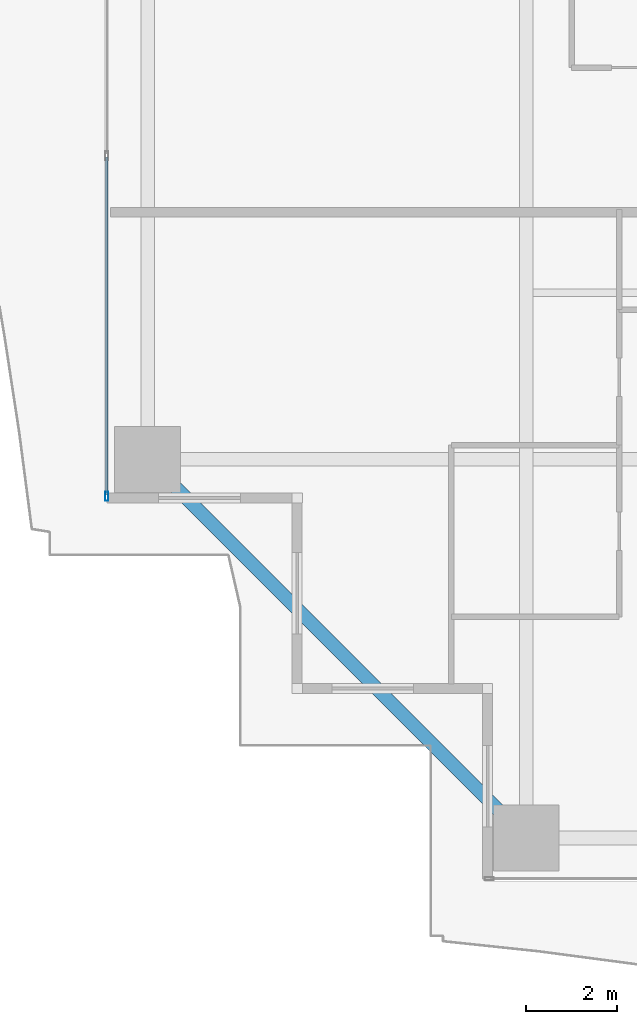
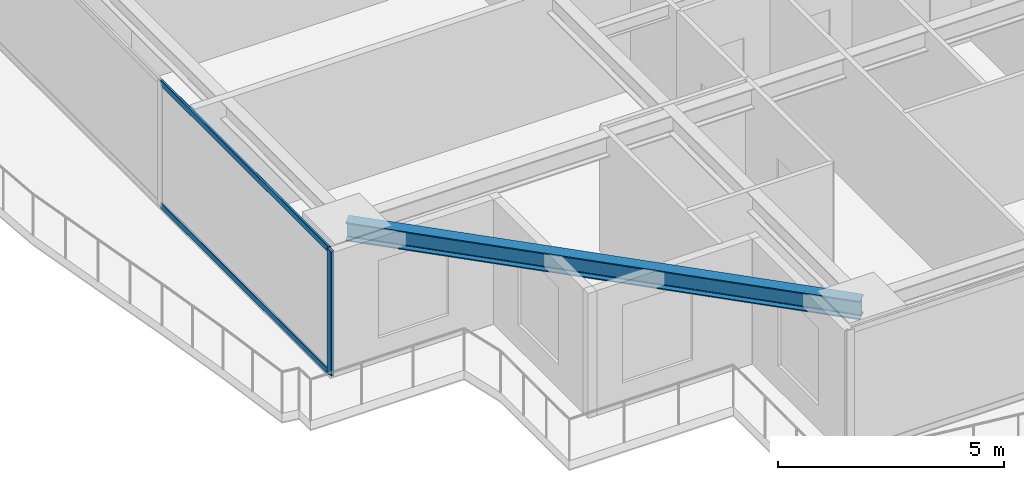
# One storey, part 3 of 40: 3 members, 1 beam, 1 element without a shape of its own.
"""IFC4 building model written with IfcOpenShell, lengths in metres."""

from ifc_helpers import new_model, si_unit, direction, frame, origin, origin_2d, place, context, subcontext, project, spatial, hollow_rectangle, i_section, extrude, source, transform, mapped, material, layer, layer_set, material_profile, profile_set, type_object, element, aggregate, save


model = new_model("IFC4")

# Units and contexts
model_context = context("Model", 3, precision=1e-05, world=origin(), true_north=direction((0.0, 1.0)))
body_context = subcontext(model_context, "Body", "Model", "MODEL_VIEW")
ifc_project = project(units=[si_unit("LENGTHUNIT", "METRE"), si_unit("AREAUNIT", "SQUARE_METRE"), si_unit("VOLUMEUNIT", "CUBIC_METRE"), si_unit("PLANEANGLEUNIT", "RADIAN"), si_unit("MASSUNIT", "GRAM", prefix="KILO")], contexts=[model_context])

# Site, building, storey
site_placement = place(None, origin())
site = spatial("IfcSite", under=ifc_project, at=site_placement, CompositionType="ELEMENT")
building_placement = place(site_placement, origin())
building = spatial("IfcBuilding", under=site, at=building_placement, Name="Serunith Strait Residences", CompositionType="ELEMENT")
storey_placement = place(building_placement, frame((0.0, 0.0, 105.449951171875)))
storey = spatial("IfcBuildingStorey", under=building, at=storey_placement, Name="L26", CompositionType="ELEMENT", Elevation=105.449951171875)

# Beam
ifc_material_1 = material(Name="Steel S355J2", Category="steel")
ifc_material_profile_1 = material_profile(ifc_material_1, i_section(OverallWidth=0.300048828125, OverallDepth=0.5, WebThickness=0.014404296875, FlangeThickness=0.028076171875, FilletRadius=0.027099609375, at=origin_2d()), Name="HEB 500")
ifc_profile_set_1 = profile_set([ifc_material_profile_1], Name="Steel S355J2")
beam_type = type_object("IfcBeamType", Name="BM-HEB500", PredefinedType="BEAM", material=ifc_profile_set_1)
shared_shape_1 = source(origin(), body_context, "Body", "SweptSolid", [
    extrude(i_section(OverallWidth=0.300048828125, OverallDepth=0.5, WebThickness=0.014404296875, FlangeThickness=0.028076171875, FilletRadius=0.027099609375, at=origin_2d()), origin(), (0.0, 0.0, 1.0), 11.80859375),
])
beam_placement = place(storey_placement, frame((6.89990234375, 9.449951171875, 3.136962890625), z_axis=(0.707117118476, -0.707096443746, 0.0), x_axis=(0.707096443746, 0.707117118476, 0.0)))
element("IfcBeam", 1, at=beam_placement, inside=storey, type_object=beam_type, Name="L26 Perimeter Ring Beam 16", PredefinedType="BEAM", context=body_context, shape_type="MappedRepresentation", body=[
    mapped(shared_shape_1, transform((0.0, 0.0, 0.0), scale=1.0)),
])

# Curtain wall, members
ifc_material_2 = material(Name="Pale-Champagne Anodised Aluminium", Category="aluminium")
ifc_layer = layer(ifc_material_2, 0.199951171875, Name="Pale-Champagne Anodised Aluminium")
ifc_layer_set = layer_set([ifc_layer], Name="Pale-Champagne Anodised Aluminium")
curtain_wall_type = type_object("IfcCurtainWallType", Name="CW-SYS1", PredefinedType="NOTDEFINED", material=ifc_layer_set)
curtain_wall_placement = place(storey_placement, origin())
curtain_wall = element("IfcCurtainWall", 2, at=curtain_wall_placement, inside=storey, type_object=curtain_wall_type, Name="L26 W Unitised Fritted Curtain Wall", PredefinedType="NOTDEFINED")
ifc_material_profile_2 = material_profile(ifc_material_2, hollow_rectangle(XDim=0.06005859375, YDim=0.159912109375, WallThickness=0.00341796875, InnerFilletRadius=0.00537109375, OuterFilletRadius=0.0087890625, at=origin_2d()), Name="ALU 160x60x3.5")
ifc_profile_set_2 = profile_set([ifc_material_profile_2], Name="Pale-Champagne Anodised Aluminium")
member_type_1 = type_object("IfcMemberType", Name="CW-SYS1-TRAN", PredefinedType="USERDEFINED", material=ifc_profile_set_2)
shared_shape_2 = source(origin(), body_context, "Body", "SweptSolid", [
    extrude(hollow_rectangle(XDim=0.06005859375, YDim=0.159912109375, WallThickness=0.00341796875, InnerFilletRadius=0.00537109375, OuterFilletRadius=0.0087890625, at=origin_2d()), origin(), (0.0, 0.0, 1.0), 7.445068359375),
])
member_1_placement = place(storey_placement, frame((6.0, 16.114990234375, 0.030029296875), z_axis=(0.0, -1.0, 0.0), x_axis=(1.0, 0.0, 0.0)))
member_1 = element("IfcMember", 3, at=member_1_placement, type_object=member_type_1, Name="CW-1 transom 2.1", ObjectType="TRANSOM", PredefinedType="USERDEFINED", context=body_context, shape_type="MappedRepresentation", body=[
    mapped(shared_shape_2, transform((0.0, 0.0, 0.0), scale=1.0)),
])
member_2_placement = place(storey_placement, frame((6.0, 16.114990234375, 3.344970703125), z_axis=(0.0, -1.0, 0.0), x_axis=(1.0, 0.0, 0.0)))
member_2 = element("IfcMember", 4, at=member_2_placement, type_object=member_type_1, Name="CW-1 transom 2.2", ObjectType="TRANSOM", PredefinedType="USERDEFINED", context=body_context, shape_type="MappedRepresentation", body=[
    mapped(shared_shape_2, transform((0.0, 0.0, 0.0), scale=1.0)),
])
ifc_material_profile_3 = material_profile(ifc_material_2, hollow_rectangle(XDim=0.070068359375, YDim=0.199951171875, WallThickness=0.00390625, InnerFilletRadius=0.006103515625, OuterFilletRadius=0.010009765625, at=origin_2d()), Name="ALU 200x70x4")
ifc_profile_set_3 = profile_set([ifc_material_profile_3], Name="Pale-Champagne Anodised Aluminium")
member_type_2 = type_object("IfcMemberType", Name="CW-SYS1-MULL", PredefinedType="MULLION", material=ifc_profile_set_3)
shared_shape_3 = source(origin(), body_context, "Body", "SweptSolid", [
    extrude(hollow_rectangle(XDim=0.070068359375, YDim=0.199951171875, WallThickness=0.00390625, InnerFilletRadius=0.006103515625, OuterFilletRadius=0.010009765625, at=origin_2d()), origin(), (0.0, 0.0, 1.0), 3.375),
])
member_3_placement = place(storey_placement, frame((6.0, 8.635009765625, 0.0), z_axis=(0.0, 0.0, 1.0), x_axis=(1.0, 0.0, 0.0)))
member_3 = element("IfcMember", 5, at=member_3_placement, type_object=member_type_2, Name="CW-1 mullion 3", PredefinedType="MULLION", context=body_context, shape_type="MappedRepresentation", body=[
    mapped(shared_shape_3, transform((0.0, 0.0, 0.0), scale=1.0)),
])
aggregate(curtain_wall, [member_3, member_1, member_2])

save(model, "model.ifc")
